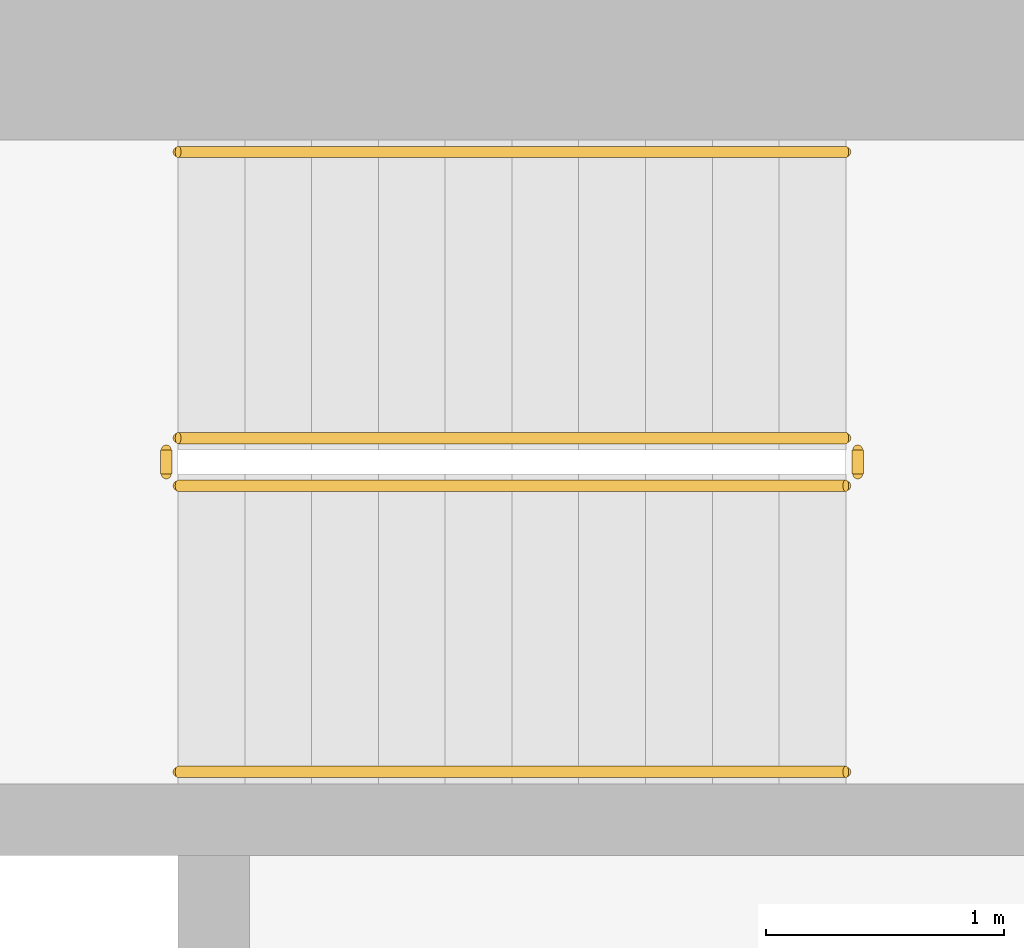
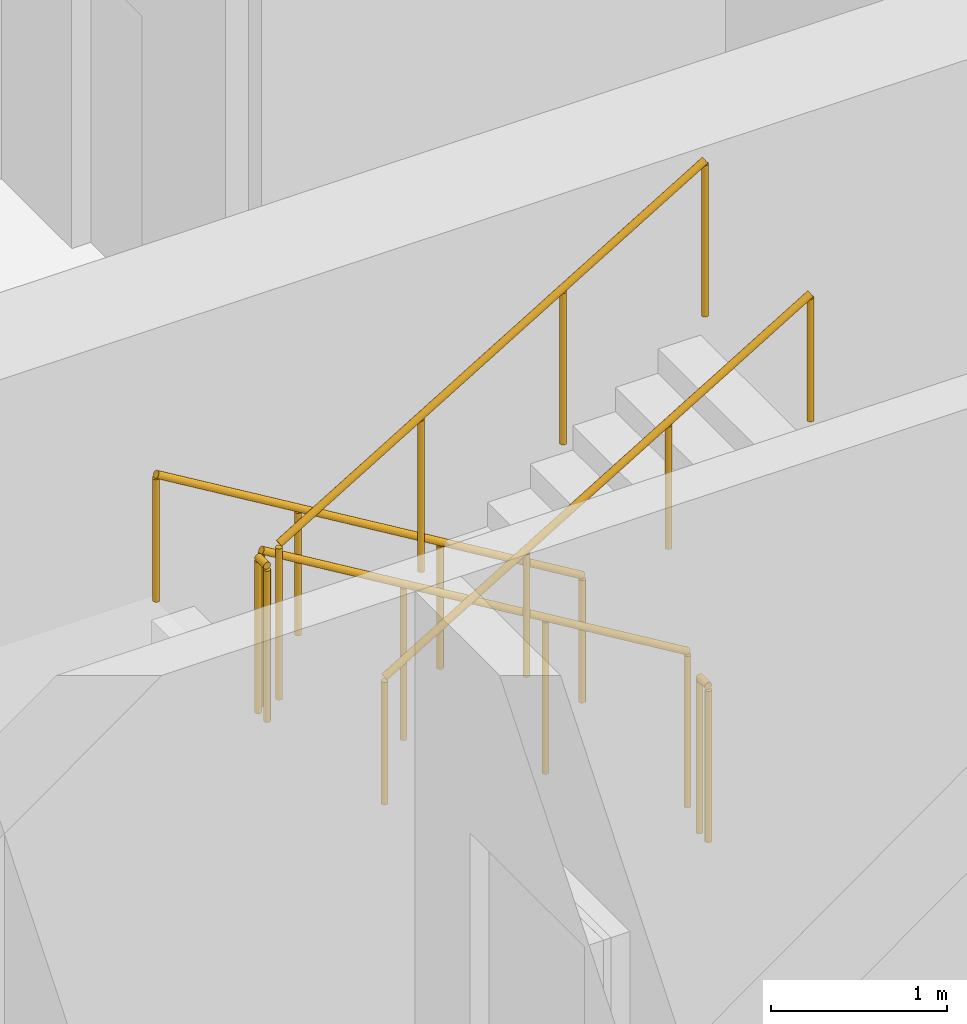
# One storey, part 17 of 22: 6 railings.
"""IFC4 building model written with IfcOpenShell, lengths in metres."""

import ifcopenshell
import ifcopenshell.guid

model = None  # the IFC model being written
_history = None  # IfcOwnerHistory: only IFC2X3 demands one
_inside = {}  # id of a spatial element -> (the spatial element, [elements in it])
_under = {}  # id of a project, library or spatial element -> (it, [spatial elements below it])
_declared = {}  # id of a project -> (the project, [libraries it declares])
_typed = {}  # id of a type object -> (the type object, [elements of that type])
_made_of = {}  # id of a material, layer set ... -> (it, [elements and type objects made of it])


def new_model(schema):
    """Start an empty IFC model of exactly this schema.

    Asked for "IFC4X3", IfcOpenShell would pick the latest addendum, in which some entities
    have other attributes; the version numbers below select the first issue.
    IFC2X3 requires an IfcOwnerHistory on every rooted entity: one is made here for all.
    """
    global model, _history
    if schema == "IFC4X3":
        model = ifcopenshell.file(schema_version=(4, 3, 0, 0))
    else:
        model = ifcopenshell.file(schema=schema)
    _inside.clear()
    _under.clear()
    _declared.clear()
    _typed.clear()
    _made_of.clear()
    _history = None
    if model.schema == "IFC2X3":
        org = make("IfcOrganization", Name="unknown")
        user = make(
            "IfcPersonAndOrganization",
            ThePerson=make("IfcPerson", FamilyName="unknown"),
            TheOrganization=org,
        )
        app = make(
            "IfcApplication",
            ApplicationDeveloper=org,
            Version="unknown",
            ApplicationFullName="unknown",
            ApplicationIdentifier="unknown",
        )
        _history = make(
            "IfcOwnerHistory",
            OwningUser=user,
            OwningApplication=app,
            ChangeAction="ADDED",
            CreationDate=0,
        )
    return model


def make(cls, **values):
    """One entity of the class cls with the attributes given. An attribute that is None is left unset."""
    return model.create_entity(
        cls, **{name: value for name, value in values.items() if value is not None}
    )


def rooted(cls, **values):
    """An entity with a GlobalId (a new one), such as an element, a storey or a relation."""
    return make(cls, GlobalId=ifcopenshell.guid.new(), OwnerHistory=_history, **values)


def si_unit(unit_type, name, prefix=None):
    """IfcSIUnit, for example si_unit("LENGTHUNIT", "METRE", prefix="MILLI")."""
    return make("IfcSIUnit", UnitType=unit_type, Prefix=prefix, Name=name)


def assignment(units):
    """IfcUnitAssignment: the units of a project."""
    return None if units is None else make("IfcUnitAssignment", Units=units)


def point(xyz):
    """IfcCartesianPoint."""
    return None if xyz is None else make("IfcCartesianPoint", Coordinates=xyz)


def direction(xyz):
    """IfcDirection."""
    return None if xyz is None else make("IfcDirection", DirectionRatios=xyz)


def frame(location, z_axis=None, x_axis=None):
    """IfcAxis2Placement3D, a coordinate frame: its origin and axes. An axis left out is left unset."""
    return make(
        "IfcAxis2Placement3D",
        Location=point(location),
        Axis=direction(z_axis),
        RefDirection=direction(x_axis),
    )


def frame_2d(location, x_axis=None):
    """IfcAxis2Placement2D, a coordinate frame in the plane: its origin and x axis."""
    return make(
        "IfcAxis2Placement2D", Location=point(location), RefDirection=direction(x_axis)
    )


def origin():
    """The frame at (0, 0, 0) with its axes left unset."""
    return frame((0.0, 0.0, 0.0))


def origin_2d():
    """The frame at (0, 0) in the plane with its x axis left unset."""
    return frame_2d((0.0, 0.0))


def place(relative_to, where):
    """IfcLocalPlacement: puts the frame where relative to a parent placement (None: the world)."""
    return make(
        "IfcLocalPlacement", PlacementRelTo=relative_to, RelativePlacement=where
    )


def context(
    kind, dimensions, precision=None, world=None, true_north=None, identifier=None
):
    """IfcGeometricRepresentationContext, for example the 3D "Model" context."""
    return make(
        "IfcGeometricRepresentationContext",
        ContextIdentifier=identifier,
        ContextType=kind,
        CoordinateSpaceDimension=dimensions,
        Precision=precision,
        WorldCoordinateSystem=world,
        TrueNorth=true_north,
    )


def subcontext(parent, identifier, kind, view, scale=None):
    """IfcGeometricRepresentationSubContext, for example "Body" below "Model"."""
    return make(
        "IfcGeometricRepresentationSubContext",
        ContextIdentifier=identifier,
        ContextType=kind,
        ParentContext=parent,
        TargetScale=scale,
        TargetView=view,
    )


def project(units=None, contexts=None):
    """IfcProject with its units and contexts."""
    return rooted(
        "IfcProject",
        Name="project",
        RepresentationContexts=contexts,
        UnitsInContext=assignment(units),
    )


def spatial(cls, under=None, at=None, **own):
    """A site, building, storey or space (cls), placed at a placement, below another one or the project."""
    s = rooted(cls, ObjectPlacement=at, **own)
    if under is not None:
        _under.setdefault(under.id(), (under, []))[1].append(s)
    return s


def profile(cls, at=None, kind="AREA", **sizes):
    """A parametric profile (cls). Its sizes go by their IFC names, for example OverallWidth=200.0."""
    return make(cls, ProfileType=kind, Position=at, **sizes)


def circle(**sizes):
    """IfcCircleProfileDef."""
    return profile("IfcCircleProfileDef", **sizes)


def extrude(swept, where, along, depth):
    """IfcExtrudedAreaSolid: the profile swept, set in the frame where, extruded along a direction by depth."""
    return make(
        "IfcExtrudedAreaSolid",
        SweptArea=swept,
        Position=where,
        ExtrudedDirection=direction(along),
        Depth=depth,
    )


def shape(context_of_items, identifier, shape_type, items):
    """IfcShapeRepresentation: the items that make up one representation, for example the "Body"."""
    return make(
        "IfcShapeRepresentation",
        ContextOfItems=context_of_items,
        RepresentationIdentifier=identifier,
        RepresentationType=shape_type,
        Items=items,
    )


def material(Name=None, Category=None):
    """IfcMaterial."""
    return make("IfcMaterial", Name=Name, Category=Category)


def made_of(thing, what):
    """Note that an element or type object is made of a material, layer set ...; save() writes the relation."""
    if what is not None:
        _made_of.setdefault(what.id(), (what, []))[1].append(thing)
    return thing


def type_object(cls, material=None, **own):
    """A type object (cls), such as IfcWallType, which elements share."""
    return made_of(rooted(cls, **own), material)


def element(
    cls,
    number,
    at=None,
    inside=None,
    cuts=None,
    type_object=None,
    material=None,
    context=None,
    identifier="Body",
    shape_type=None,
    held_by="IfcProductDefinitionShape",
    body=None,
    shapes=None,
    **own,
):
    """One element of the class cls, such as IfcWall. Its Tag is "e" and its number.

    at: its placement. inside: the storey or other place that contains it. cuts: it is an
    opening in that element (IfcRelVoidsElement). A single representation is given by context,
    identifier, shape_type and body (its items); several are given by shapes. held_by: the class
    of the entity that holds the representations. save() writes the other relations.
    """
    e = rooted(cls, Tag="e%d" % number, ObjectPlacement=at, **own)
    if body is not None:
        shapes = [shape(context, identifier, shape_type, body)]
    if shapes is not None:
        e.Representation = make(held_by, Representations=shapes)
    if inside is not None:
        _inside.setdefault(inside.id(), (inside, []))[1].append(e)
    if cuts is not None:
        rooted(
            "IfcRelVoidsElement", RelatingBuildingElement=cuts, RelatedOpeningElement=e
        )
    if type_object is not None:
        _typed.setdefault(type_object.id(), (type_object, []))[1].append(e)
    return made_of(e, material)


def aggregate(whole, parts):
    """IfcRelAggregates: a whole, such as a stair, and the parts it consists of."""
    return rooted("IfcRelAggregates", RelatingObject=whole, RelatedObjects=parts)


def save(model, path):
    """Write the relations noted so far, then the file.

    IfcRelAggregates (storeys below a building ...), IfcRelContainedInSpatialStructure (elements
    in a storey), IfcRelDefinesByType, IfcRelAssociatesMaterial and IfcRelDeclares: one each for
    every whole, place, type object, material and project.
    """
    for whole, parts in _under.values():
        aggregate(whole, parts)
    for where, things in _inside.values():
        rooted(
            "IfcRelContainedInSpatialStructure",
            RelatedElements=things,
            RelatingStructure=where,
        )
    for kind, things in _typed.values():
        rooted("IfcRelDefinesByType", RelatedObjects=things, RelatingType=kind)
    for what, things in _made_of.values():
        rooted("IfcRelAssociatesMaterial", RelatedObjects=things, RelatingMaterial=what)
    for by, libraries in _declared.values():
        rooted("IfcRelDeclares", RelatingContext=by, RelatedDefinitions=libraries)
    model.write(path)


model = new_model("IFC4")

# Units and contexts
model_context = context("Model", 3, precision=1e-05, world=origin(), true_north=direction((0.0, 1.0)))
body_context = subcontext(model_context, "Body", "Model", "MODEL_VIEW")
ifc_project = project(units=[si_unit("LENGTHUNIT", "METRE"), si_unit("AREAUNIT", "SQUARE_METRE"), si_unit("VOLUMEUNIT", "CUBIC_METRE"), si_unit("PLANEANGLEUNIT", "RADIAN"), si_unit("MASSUNIT", "GRAM", prefix="KILO")], contexts=[model_context])

# Site, building, storey
site_placement = place(None, origin())
site = spatial("IfcSite", under=ifc_project, at=site_placement, CompositionType="ELEMENT")
building_placement = place(site_placement, origin())
building = spatial("IfcBuilding", under=site, at=building_placement, Name="Ogive Portal Towers", CompositionType="ELEMENT")
storey_placement = place(building_placement, frame((0.0, 0.0, 131.5)))
storey = spatial("IfcBuildingStorey", under=building, at=storey_placement, Name="L32", CompositionType="ELEMENT", Elevation=131.5)

# Railings
ifc_material_1 = material(Name="Stainless steel balustrade", Category="steel")
railing_type_1 = type_object("IfcRailingType", Name="INT-GUARD", PredefinedType="GUARDRAIL", material=ifc_material_1)
railing_1_placement = place(storey_placement, frame((37.449951171875, 37.800048828125, 0.168212890625)))
element("IfcRailing", 1, at=railing_1_placement, inside=storey, type_object=railing_type_1, Name="L32 ST-A1 stair guard 1", PredefinedType="GUARDRAIL", context=body_context, shape_type="SweptSolid", body=[
    extrude(circle(Radius=0.02392578125, at=origin_2d()), frame((0.0, 0.0, 1.076171875), z_axis=(-0.857242210791, 0.0, 0.514913383045), x_axis=(0.0, -1.0, 0.0)), (0.0, 0.0, 1.0), 3.266357421875),
    extrude(circle(Radius=0.02099609375, at=origin_2d()), origin(), (0.0, 0.0, 1.0), 1.052001953125),
    extrude(circle(Radius=0.02099609375, at=origin_2d()), frame((-0.933349609375, 0.0, 0.560546875)), (0.0, 0.0, 1.0), 1.052001953125),
    extrude(circle(Radius=0.02099609375, at=origin_2d()), frame((-1.86669921875, 0.0, 1.121337890625)), (0.0, 0.0, 1.0), 1.052001953125),
    extrude(circle(Radius=0.02099609375, at=origin_2d()), frame((-2.800048828125, 0.0, 1.681884765625)), (0.0, 0.0, 1.0), 1.052001953125),
])
railing_2_placement = place(storey_placement, frame((34.60009765625, 37.75, 1.85009765625)))
element("IfcRailing", 2, at=railing_2_placement, inside=storey, type_object=railing_type_1, Name="L32 ST-A1 stair guard 2", PredefinedType="GUARDRAIL", context=body_context, shape_type="SweptSolid", body=[
    extrude(circle(Radius=0.02392578125, at=origin_2d()), frame((0.0, 0.0, 1.076171875), z_axis=(0.0, -1.0, 0.0), x_axis=(1.0, 0.0, 0.0)), (0.0, 0.0, 1.0), 0.10009765625),
    extrude(circle(Radius=0.02099609375, at=origin_2d()), origin(), (0.0, 0.0, 1.0), 1.052001953125),
    extrude(circle(Radius=0.02099609375, at=origin_2d()), frame((0.0, -0.10009765625, 0.0)), (0.0, 0.0, 1.0), 1.052001953125),
])
railing_3_placement = place(storey_placement, frame((34.64990234375, 37.60009765625, 2.01806640625)))
element("IfcRailing", 3, at=railing_3_placement, inside=storey, type_object=railing_type_1, Name="L32 ST-A1 stair guard 3", PredefinedType="GUARDRAIL", context=body_context, shape_type="SweptSolid", body=[
    extrude(circle(Radius=0.02392578125, at=origin_2d()), frame((0.0, 0.0, 1.076171875), z_axis=(0.857242210791, 0.0, 0.514913383045), x_axis=(0.0, 1.0, 0.0)), (0.0, 0.0, 1.0), 3.266357421875),
    extrude(circle(Radius=0.02099609375, at=origin_2d()), origin(), (0.0, 0.0, 1.0), 1.052001953125),
    extrude(circle(Radius=0.02099609375, at=origin_2d()), frame((0.933349609375, 0.0, 0.560546875)), (0.0, 0.0, 1.0), 1.052001953125),
    extrude(circle(Radius=0.02099609375, at=origin_2d()), frame((1.86669921875, 0.0, 1.121337890625)), (0.0, 0.0, 1.0), 1.052001953125),
    extrude(circle(Radius=0.02099609375, at=origin_2d()), frame((2.800048828125, 0.0, 1.681884765625)), (0.0, 0.0, 1.0), 1.052001953125),
])
railing_4_placement = place(storey_placement, frame((37.5, 37.75, 0.0)))
element("IfcRailing", 4, at=railing_4_placement, inside=storey, type_object=railing_type_1, Name="L32 ST-A1 stair guard 4", PredefinedType="GUARDRAIL", context=body_context, shape_type="SweptSolid", body=[
    extrude(circle(Radius=0.02392578125, at=origin_2d()), frame((0.0, 0.0, 1.076171875), z_axis=(0.0, -1.0, 0.0), x_axis=(1.0, 0.0, 0.0)), (0.0, 0.0, 1.0), 0.10009765625),
    extrude(circle(Radius=0.02099609375, at=origin_2d()), origin(), (0.0, 0.0, 1.0), 1.052001953125),
    extrude(circle(Radius=0.02099609375, at=origin_2d()), frame((0.0, -0.10009765625, 0.0)), (0.0, 0.0, 1.0), 1.052001953125),
])
ifc_material_2 = material(Name="Stainless steel handrail", Category="steel")
railing_type_2 = type_object("IfcRailingType", Name="INT-HANDRAIL", PredefinedType="HANDRAIL", material=ifc_material_2)
railing_5_placement = place(storey_placement, frame((37.449951171875, 39.0, 0.168212890625)))
element("IfcRailing", 5, at=railing_5_placement, inside=storey, type_object=railing_type_2, Name="L32 ST-A1 stair handrail 1", PredefinedType="HANDRAIL", context=body_context, shape_type="SweptSolid", body=[
    extrude(circle(Radius=0.02392578125, at=origin_2d()), frame((0.0, 0.0, 0.8759765625), z_axis=(-0.857242210791, 0.0, 0.514913383045), x_axis=(0.0, -1.0, 0.0)), (0.0, 0.0, 1.0), 3.266357421875),
    extrude(circle(Radius=0.02099609375, at=origin_2d()), origin(), (0.0, 0.0, 1.0), 0.851806640625),
    extrude(circle(Radius=0.02099609375, at=origin_2d()), frame((-0.933349609375, 0.0, 0.560546875)), (0.0, 0.0, 1.0), 0.851806640625),
    extrude(circle(Radius=0.02099609375, at=origin_2d()), frame((-1.86669921875, 0.0, 1.121337890625)), (0.0, 0.0, 1.0), 0.851806640625),
    extrude(circle(Radius=0.02099609375, at=origin_2d()), frame((-2.800048828125, 0.0, 1.681884765625)), (0.0, 0.0, 1.0), 0.851806640625),
])
railing_6_placement = place(storey_placement, frame((34.64990234375, 36.39990234375, 2.01806640625)))
element("IfcRailing", 6, at=railing_6_placement, inside=storey, type_object=railing_type_2, Name="L32 ST-A1 stair handrail 2", PredefinedType="HANDRAIL", context=body_context, shape_type="SweptSolid", body=[
    extrude(circle(Radius=0.02392578125, at=origin_2d()), frame((0.0, 0.0, 0.8759765625), z_axis=(0.857242210791, 0.0, 0.514913383045), x_axis=(0.0, 1.0, 0.0)), (0.0, 0.0, 1.0), 3.266357421875),
    extrude(circle(Radius=0.02099609375, at=origin_2d()), origin(), (0.0, 0.0, 1.0), 0.851806640625),
    extrude(circle(Radius=0.02099609375, at=origin_2d()), frame((0.933349609375, 0.0, 0.560546875)), (0.0, 0.0, 1.0), 0.851806640625),
    extrude(circle(Radius=0.02099609375, at=origin_2d()), frame((1.86669921875, 0.0, 1.121337890625)), (0.0, 0.0, 1.0), 0.851806640625),
    extrude(circle(Radius=0.02099609375, at=origin_2d()), frame((2.800048828125, 0.0, 1.681884765625)), (0.0, 0.0, 1.0), 0.851806640625),
])

save(model, "model.ifc")
